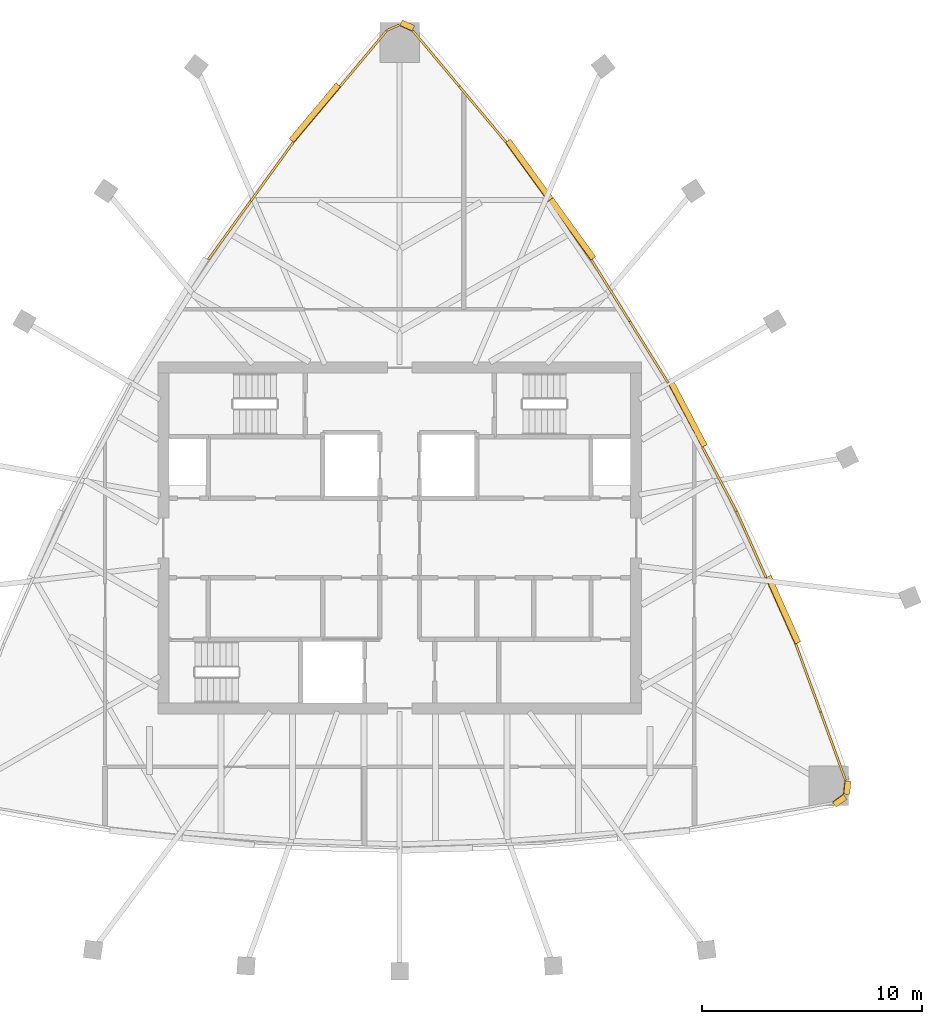
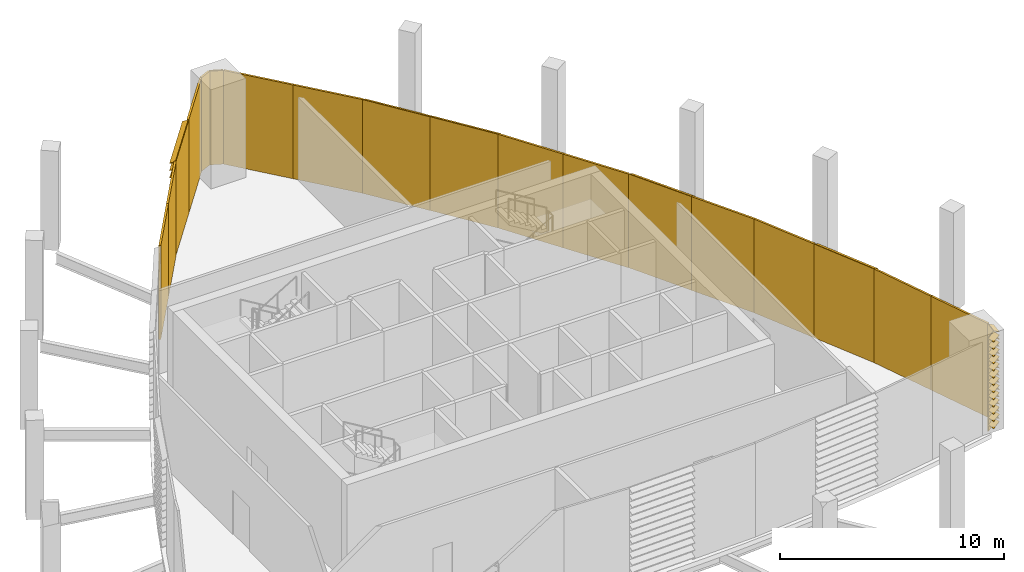
# One storey, part 8 of 8: 12 coverings, 8 shading devices.
"""IFC4 building model written with IfcOpenShell, lengths in metres."""

from ifc_helpers import new_model, si_unit, direction, frame, origin, place, context, subcontext, project, spatial, polyline, outline, extrude, material, layer, layer_set, type_object, element, save


model = new_model("IFC4")

# Units and contexts
model_context = context("Model", 3, precision=1e-05, world=origin(), true_north=direction((0.0, 1.0)))
body_context = subcontext(model_context, "Body", "Model", "MODEL_VIEW")
ifc_project = project(units=[si_unit("LENGTHUNIT", "METRE"), si_unit("AREAUNIT", "SQUARE_METRE"), si_unit("VOLUMEUNIT", "CUBIC_METRE"), si_unit("PLANEANGLEUNIT", "RADIAN"), si_unit("MASSUNIT", "GRAM", prefix="KILO")], contexts=[model_context])

# Site, building, storey
site_placement = place(None, origin())
site = spatial("IfcSite", under=ifc_project, at=site_placement, CompositionType="ELEMENT")
building_placement = place(site_placement, origin())
building = spatial("IfcBuilding", under=site, at=building_placement, Name="Sierra Prisma Convention Tower", CompositionType="ELEMENT")
storey_placement = place(building_placement, frame((0.0, 0.0, 350.199951171875)))
storey = spatial("IfcBuildingStorey", under=building, at=storey_placement, Name="L78", CompositionType="ELEMENT", Elevation=350.199951171875)

# Coverings
ifc_material_1 = material(Name="Aluminium composite bronze anodised", Category="aluminium")
ifc_layer = layer(ifc_material_1, 0.10009765625)
ifc_layer_set = layer_set([ifc_layer], Name="Bronze cladding panel")
covering_type = type_object("IfcCoveringType", Name="Bronze cladding panel", PredefinedType="CLADDING", material=ifc_layer_set)
covering_1_placement = place(storey_placement, origin())
element("IfcCovering", 1, at=covering_1_placement, inside=storey, type_object=covering_type, Name="Crown cladding L78.15", PredefinedType="CLADDING", context=body_context, shape_type="SweptSolid", body=[
    extrude(outline(polyline([(20.2265625, -11.033203125), (19.093017578125, -7.932861328125), (19.18701171875, -7.8984375), (20.320556640625, -10.9990234375), (20.2265625, -11.033203125)])), origin(), (0.0, 0.0, 1.0), 5.10009765625),
])
covering_2_placement = place(storey_placement, origin())
element("IfcCovering", 2, at=covering_2_placement, inside=storey, type_object=covering_type, Name="Crown cladding L78.16", PredefinedType="CLADDING", context=body_context, shape_type="SweptSolid", body=[
    extrude(outline(polyline([(19.093017578125, -7.932861328125), (17.95947265625, -4.83251953125), (18.053466796875, -4.798095703125), (19.18701171875, -7.8984375), (19.093017578125, -7.932861328125)])), origin(), (0.0, 0.0, 1.0), 5.10009765625),
])
covering_3_placement = place(storey_placement, origin())
element("IfcCovering", 3, at=covering_3_placement, inside=storey, type_object=covering_type, Name="Crown cladding L78.18", PredefinedType="CLADDING", context=body_context, shape_type="SweptSolid", body=[
    extrude(outline(polyline([(16.6142578125, -1.818115234375), (15.268798828125, 1.196533203125), (15.360107421875, 1.2373046875), (16.70556640625, -1.77734375), (16.6142578125, -1.818115234375)])), origin(), (0.0, 0.0, 1.0), 5.10009765625),
])
covering_4_placement = place(storey_placement, origin())
element("IfcCovering", 4, at=covering_4_placement, inside=storey, type_object=covering_type, Name="Crown cladding L78.19", PredefinedType="CLADDING", context=body_context, shape_type="SweptSolid", body=[
    extrude(outline(polyline([(15.268798828125, 1.196533203125), (13.71826171875, 4.11083984375), (13.806640625, 4.15771484375), (15.357177734375, 1.243408203125), (15.268798828125, 1.196533203125)])), origin(), (0.0, 0.0, 1.0), 5.10009765625),
])
covering_5_placement = place(storey_placement, origin())
element("IfcCovering", 5, at=covering_5_placement, inside=storey, type_object=covering_type, Name="Crown cladding L78.21", PredefinedType="CLADDING", context=body_context, shape_type="SweptSolid", body=[
    extrude(outline(polyline([(12.167724609375, 7.02490234375), (10.419189453125, 9.824951171875), (10.50390625, 9.8779296875), (12.25244140625, 7.077880859375), (12.167724609375, 7.02490234375)])), origin(), (0.0, 0.0, 1.0), 5.10009765625),
])
covering_6_placement = place(storey_placement, origin())
element("IfcCovering", 6, at=covering_6_placement, inside=storey, type_object=covering_type, Name="Crown cladding L78.22", PredefinedType="CLADDING", context=body_context, shape_type="SweptSolid", body=[
    extrude(outline(polyline([(10.419189453125, 9.824951171875), (8.670654296875, 12.625), (8.75537109375, 12.677978515625), (10.50390625, 9.8779296875), (10.419189453125, 9.824951171875)])), origin(), (0.0, 0.0, 1.0), 5.10009765625),
])
covering_7_placement = place(storey_placement, origin())
element("IfcCovering", 7, at=covering_7_placement, inside=storey, type_object=covering_type, Name="Crown cladding L78.25", PredefinedType="CLADDING", context=body_context, shape_type="SweptSolid", body=[
    extrude(outline(polyline([(4.794677734375, 17.9697265625), (2.676513671875, 20.50146484375), (2.753173828125, 20.565673828125), (4.871337890625, 18.033935546875), (4.794677734375, 17.9697265625)])), origin(), (0.0, 0.0, 1.0), 5.10009765625),
])
covering_8_placement = place(storey_placement, origin())
element("IfcCovering", 8, at=covering_8_placement, inside=storey, type_object=covering_type, Name="Crown cladding L78.26", PredefinedType="CLADDING", context=body_context, shape_type="SweptSolid", body=[
    extrude(outline(polyline([(2.676513671875, 20.50146484375), (0.558349609375, 23.033447265625), (0.635009765625, 23.09765625), (2.753173828125, 20.565673828125), (2.676513671875, 20.50146484375)])), origin(), (0.0, 0.0, 1.0), 5.10009765625),
])
covering_9_placement = place(storey_placement, origin())
element("IfcCovering", 9, at=covering_9_placement, inside=storey, type_object=covering_type, Name="Crown cladding L78.28", PredefinedType="CLADDING", context=body_context, shape_type="SweptSolid", body=[
    extrude(outline(polyline([(0.0, 23.282470703125), (-0.558349609375, 23.033447265625), (-0.598876953125, 23.124755859375), (-0.040771484375, 23.373779296875), (0.0, 23.282470703125)])), origin(), (0.0, 0.0, 1.0), 5.10009765625),
])
covering_10_placement = place(storey_placement, origin())
element("IfcCovering", 10, at=covering_10_placement, inside=storey, type_object=covering_type, Name="Crown cladding L78.29", PredefinedType="CLADDING", context=body_context, shape_type="SweptSolid", body=[
    extrude(outline(polyline([(-0.558349609375, 23.033447265625), (-2.676513671875, 20.50146484375), (-2.753173828125, 20.565673828125), (-0.635009765625, 23.09765625), (-0.558349609375, 23.033447265625)])), origin(), (0.0, 0.0, 1.0), 5.10009765625),
])
covering_11_placement = place(storey_placement, origin())
element("IfcCovering", 11, at=covering_11_placement, inside=storey, type_object=covering_type, Name="Crown cladding L78.31", PredefinedType="CLADDING", context=body_context, shape_type="SweptSolid", body=[
    extrude(outline(polyline([(-4.794677734375, 17.9697265625), (-6.732666015625, 15.29736328125), (-6.813720703125, 15.35595703125), (-4.875732421875, 18.0283203125), (-4.794677734375, 17.9697265625)])), origin(), (0.0, 0.0, 1.0), 5.10009765625),
])
covering_12_placement = place(storey_placement, origin())
element("IfcCovering", 12, at=covering_12_placement, inside=storey, type_object=covering_type, Name="Crown cladding L78.32", PredefinedType="CLADDING", context=body_context, shape_type="SweptSolid", body=[
    extrude(outline(polyline([(-6.732666015625, 15.29736328125), (-8.670654296875, 12.625), (-8.751708984375, 12.68359375), (-6.813720703125, 15.35595703125), (-6.732666015625, 15.29736328125)])), origin(), (0.0, 0.0, 1.0), 5.10009765625),
])

# Shading devices
ifc_material_2 = material(Name="Aluminium 6063-T6 bronze anodised", Category="aluminium")
shading_device_type = type_object("IfcShadingDeviceType", Name="Louvre bay bronze", PredefinedType="USERDEFINED", material=ifc_material_2)
shading_device_1_placement = place(storey_placement, frame((19.66845703125, -12.000244140625, 0.0), z_axis=(-0.809071505867, -0.587710216344, 0.0), x_axis=(0.0, 0.0, 1.0)))
element("IfcShadingDevice", 13, at=shading_device_1_placement, inside=storey, type_object=shading_device_type, Name="Crown louvre L78.13", ObjectType="LOUVRE", PredefinedType="USERDEFINED", context=body_context, shape_type="SweptSolid", body=[
    extrude(outline(polyline([(0.0, 0.0), (5.10009765625, 0.0), (5.10009765625, -0.029886038734750833), (5.080078125, -0.029886038734750833), (4.9599609375, -0.2997939801794932), (4.929931640625, -0.2997939801794932), (5.050048828125, -0.029886038734750833), (4.707763671875, -0.029886038734750833), (4.687744140625, -0.029886038734750833), (4.567626953125, -0.2997939801794932), (4.537841796875, -0.2997939801794932), (4.65771484375, -0.029886038734750833), (4.3154296875, -0.029886038734750833), (4.29541015625, -0.029886038734750833), (4.175537109375, -0.2997939801794932), (4.1455078125, -0.2997939801794932), (4.265380859375, -0.029886038734750833), (3.923095703125, -0.029886038734750833), (3.903076171875, -0.029886038734750833), (3.783203125, -0.2997939801794932), (3.753173828125, -0.2997939801794932), (3.873046875, -0.029886038734750833), (3.53076171875, -0.029886038734750833), (3.5107421875, -0.029886038734750833), (3.390869140625, -0.2997939801794932), (3.36083984375, -0.2997939801794932), (3.480712890625, -0.029886038734750833), (3.138427734375, -0.029886038734750833), (3.118408203125, -0.029886038734750833), (2.99853515625, -0.2997939801794932), (2.968505859375, -0.2997939801794932), (3.088623046875, -0.029886038734750833), (2.74609375, -0.029886038734750833), (2.726318359375, -0.029886038734750833), (2.606201171875, -0.2997939801794932), (2.576171875, -0.2997939801794932), (2.6962890625, -0.029886038734750833), (2.35400390625, -0.029886038734750833), (2.333984375, -0.029886038734750833), (2.2138671875, -0.2997939801794932), (2.183837890625, -0.2997939801794932), (2.303955078125, -0.029886038734750833), (1.961669921875, -0.029886038734750833), (1.941650390625, -0.029886038734750833), (1.821533203125, -0.2997939801794932), (1.79150390625, -0.2997939801794932), (1.91162109375, -0.029886038734750833), (1.5693359375, -0.029886038734750833), (1.54931640625, -0.029886038734750833), (1.42919921875, -0.2997939801794932), (1.399169921875, -0.2997939801794932), (1.519287109375, -0.029886038734750833), (1.177001953125, -0.029886038734750833), (1.156982421875, -0.029886038734750833), (1.036865234375, -0.2997939801794932), (1.007080078125, -0.2997939801794932), (1.126953125, -0.029886038734750833), (0.78466796875, -0.029886038734750833), (0.7646484375, -0.029886038734750833), (0.644775390625, -0.2997939801794932), (0.61474609375, -0.2997939801794932), (0.734619140625, -0.029886038734750833), (0.392333984375, -0.029886038734750833), (0.372314453125, -0.029886038734750833), (0.25244140625, -0.2997939801794932), (0.222412109375, -0.2997939801794932), (0.34228515625, -0.029886038734750833), (0.0, -0.029886038734750833), (0.0, 0.0)])), origin(), (0.0, 0.0, -1.0), 0.611328125),
])
shading_device_2_placement = place(storey_placement, frame((20.163330078125, -11.641357421875, 0.0), z_axis=(-0.100375227887, -0.994949653815, 0.0), x_axis=(0.0, 0.0, 1.0)))
element("IfcShadingDevice", 14, at=shading_device_2_placement, inside=storey, type_object=shading_device_type, Name="Crown louvre L78.14", ObjectType="LOUVRE", PredefinedType="USERDEFINED", context=body_context, shape_type="SweptSolid", body=[
    extrude(outline(polyline([(0.0, 0.0), (5.10009765625, 0.0), (5.10009765625, -0.029928798950214008), (5.080078125, -0.029928798950214008), (4.9599609375, -0.2999453444588887), (4.929931640625, -0.2999453444588887), (5.050048828125, -0.029928798950214008), (4.707763671875, -0.029928798950214008), (4.687744140625, -0.029928798950214008), (4.567626953125, -0.2999453444588887), (4.537841796875, -0.2999453444588887), (4.65771484375, -0.029928798950214008), (4.3154296875, -0.029928798950214008), (4.29541015625, -0.029928798950214008), (4.175537109375, -0.2999453444588887), (4.1455078125, -0.2999453444588887), (4.265380859375, -0.029928798950214008), (3.923095703125, -0.029928798950214008), (3.903076171875, -0.029928798950214008), (3.783203125, -0.2999453444588887), (3.753173828125, -0.2999453444588887), (3.873046875, -0.029928798950214008), (3.53076171875, -0.029928798950214008), (3.5107421875, -0.029928798950214008), (3.390869140625, -0.2999453444588887), (3.36083984375, -0.2999453444588887), (3.480712890625, -0.029928798950214008), (3.138427734375, -0.029928798950214008), (3.118408203125, -0.029928798950214008), (2.99853515625, -0.2999453444588887), (2.968505859375, -0.2999453444588887), (3.088623046875, -0.029928798950214008), (2.74609375, -0.029928798950214008), (2.726318359375, -0.029928798950214008), (2.606201171875, -0.2999453444588887), (2.576171875, -0.2999453444588887), (2.6962890625, -0.029928798950214008), (2.35400390625, -0.029928798950214008), (2.333984375, -0.029928798950214008), (2.2138671875, -0.2999453444588887), (2.183837890625, -0.2999453444588887), (2.303955078125, -0.029928798950214008), (1.961669921875, -0.029928798950214008), (1.941650390625, -0.029928798950214008), (1.821533203125, -0.2999453444588887), (1.79150390625, -0.2999453444588887), (1.91162109375, -0.029928798950214008), (1.5693359375, -0.029928798950214008), (1.54931640625, -0.029928798950214008), (1.42919921875, -0.2999453444588887), (1.399169921875, -0.2999453444588887), (1.519287109375, -0.029928798950214008), (1.177001953125, -0.029928798950214008), (1.156982421875, -0.029928798950214008), (1.036865234375, -0.2999453444588887), (1.007080078125, -0.2999453444588887), (1.126953125, -0.029928798950214008), (0.78466796875, -0.029928798950214008), (0.7646484375, -0.029928798950214008), (0.644775390625, -0.2999453444588887), (0.61474609375, -0.2999453444588887), (0.734619140625, -0.029928798950214008), (0.392333984375, -0.029928798950214008), (0.372314453125, -0.029928798950214008), (0.25244140625, -0.2999453444588887), (0.222412109375, -0.2999453444588887), (0.34228515625, -0.029928798950214008), (0.0, -0.029928798950214008), (0.0, 0.0)])), origin(), (0.0, 0.0, -1.0), 0.611328125),
])
shading_device_3_placement = place(storey_placement, frame((17.95947265625, -4.83251953125, 0.0), z_axis=(0.40768380581, -0.913123165011, 0.0), x_axis=(0.0, 0.0, 1.0)))
element("IfcShadingDevice", 15, at=shading_device_3_placement, inside=storey, type_object=shading_device_type, Name="Crown louvre L78.17", ObjectType="LOUVRE", PredefinedType="USERDEFINED", context=body_context, shape_type="SweptSolid", body=[
    extrude(outline(polyline([(0.0, 0.0), (5.10009765625, 0.0), (5.10009765625, -0.02994482050091964), (5.080078125, -0.02994482050091964), (4.9599609375, -0.2999935981087649), (4.929931640625, -0.2999935981087649), (5.050048828125, -0.02994482050091964), (4.707763671875, -0.02994482050091964), (4.687744140625, -0.02994482050091964), (4.567626953125, -0.2999935981087649), (4.537841796875, -0.2999935981087649), (4.65771484375, -0.02994482050091964), (4.3154296875, -0.02994482050091964), (4.29541015625, -0.02994482050091964), (4.175537109375, -0.2999935981087649), (4.1455078125, -0.2999935981087649), (4.265380859375, -0.02994482050091964), (3.923095703125, -0.02994482050091964), (3.903076171875, -0.02994482050091964), (3.783203125, -0.2999935981087649), (3.753173828125, -0.2999935981087649), (3.873046875, -0.02994482050091964), (3.53076171875, -0.02994482050091964), (3.5107421875, -0.02994482050091964), (3.390869140625, -0.2999935981087649), (3.36083984375, -0.2999935981087649), (3.480712890625, -0.02994482050091964), (3.138427734375, -0.02994482050091964), (3.118408203125, -0.02994482050091964), (2.99853515625, -0.2999935981087649), (2.968505859375, -0.2999935981087649), (3.088623046875, -0.02994482050091964), (2.74609375, -0.02994482050091964), (2.726318359375, -0.02994482050091964), (2.606201171875, -0.2999935981087649), (2.576171875, -0.2999935981087649), (2.6962890625, -0.02994482050091964), (2.35400390625, -0.02994482050091964), (2.333984375, -0.02994482050091964), (2.2138671875, -0.2999935981087649), (2.183837890625, -0.2999935981087649), (2.303955078125, -0.02994482050091964), (1.961669921875, -0.02994482050091964), (1.941650390625, -0.02994482050091964), (1.821533203125, -0.2999935981087649), (1.79150390625, -0.2999935981087649), (1.91162109375, -0.02994482050091964), (1.5693359375, -0.02994482050091964), (1.54931640625, -0.02994482050091964), (1.42919921875, -0.2999935981087649), (1.399169921875, -0.2999935981087649), (1.519287109375, -0.02994482050091964), (1.177001953125, -0.02994482050091964), (1.156982421875, -0.02994482050091964), (1.036865234375, -0.2999935981087649), (1.007080078125, -0.2999935981087649), (1.126953125, -0.02994482050091964), (0.78466796875, -0.02994482050091964), (0.7646484375, -0.02994482050091964), (0.644775390625, -0.2999935981087649), (0.61474609375, -0.2999935981087649), (0.734619140625, -0.02994482050091964), (0.392333984375, -0.02994482050091964), (0.372314453125, -0.02994482050091964), (0.25244140625, -0.2999935981087649), (0.222412109375, -0.2999935981087649), (0.34228515625, -0.02994482050091964), (0.0, -0.02994482050091964), (0.0, 0.0)])), origin(), (0.0, 0.0, -1.0), 3.301025390625),
])
shading_device_4_placement = place(storey_placement, frame((13.71826171875, 4.11083984375, 0.0), z_axis=(0.466178563812, -0.884690650251, 0.0), x_axis=(0.0, 0.0, 1.0)))
element("IfcShadingDevice", 16, at=shading_device_4_placement, inside=storey, type_object=shading_device_type, Name="Crown louvre L78.20", ObjectType="LOUVRE", PredefinedType="USERDEFINED", context=body_context, shape_type="SweptSolid", body=[
    extrude(outline(polyline([(0.0, 0.0), (5.10009765625, 0.0), (5.10009765625, -0.030030141361006533), (5.080078125, -0.030030141361006533), (4.9599609375, -0.30001816085015937), (4.929931640625, -0.30001816085015937), (5.050048828125, -0.030030141361006533), (4.707763671875, -0.030030141361006533), (4.687744140625, -0.030030141361006533), (4.567626953125, -0.30001816085015937), (4.537841796875, -0.30001816085015937), (4.65771484375, -0.030030141361006533), (4.3154296875, -0.030030141361006533), (4.29541015625, -0.030030141361006533), (4.175537109375, -0.30001816085015937), (4.1455078125, -0.30001816085015937), (4.265380859375, -0.030030141361006533), (3.923095703125, -0.030030141361006533), (3.903076171875, -0.030030141361006533), (3.783203125, -0.30001816085015937), (3.753173828125, -0.30001816085015937), (3.873046875, -0.030030141361006533), (3.53076171875, -0.030030141361006533), (3.5107421875, -0.030030141361006533), (3.390869140625, -0.30001816085015937), (3.36083984375, -0.30001816085015937), (3.480712890625, -0.030030141361006533), (3.138427734375, -0.030030141361006533), (3.118408203125, -0.030030141361006533), (2.99853515625, -0.30001816085015937), (2.968505859375, -0.30001816085015937), (3.088623046875, -0.030030141361006533), (2.74609375, -0.030030141361006533), (2.726318359375, -0.030030141361006533), (2.606201171875, -0.30001816085015937), (2.576171875, -0.30001816085015937), (2.6962890625, -0.030030141361006533), (2.35400390625, -0.030030141361006533), (2.333984375, -0.030030141361006533), (2.2138671875, -0.30001816085015937), (2.183837890625, -0.30001816085015937), (2.303955078125, -0.030030141361006533), (1.961669921875, -0.030030141361006533), (1.941650390625, -0.030030141361006533), (1.821533203125, -0.30001816085015937), (1.79150390625, -0.30001816085015937), (1.91162109375, -0.030030141361006533), (1.5693359375, -0.030030141361006533), (1.54931640625, -0.030030141361006533), (1.42919921875, -0.30001816085015937), (1.399169921875, -0.30001816085015937), (1.519287109375, -0.030030141361006533), (1.177001953125, -0.030030141361006533), (1.156982421875, -0.030030141361006533), (1.036865234375, -0.30001816085015937), (1.007080078125, -0.30001816085015937), (1.126953125, -0.030030141361006533), (0.78466796875, -0.030030141361006533), (0.7646484375, -0.030030141361006533), (0.644775390625, -0.30001816085015937), (0.61474609375, -0.30001816085015937), (0.734619140625, -0.030030141361006533), (0.392333984375, -0.030030141361006533), (0.372314453125, -0.030030141361006533), (0.25244140625, -0.30001816085015937), (0.222412109375, -0.30001816085015937), (0.34228515625, -0.030030141361006533), (0.0, -0.030030141361006533), (0.0, 0.0)])), origin(), (0.0, 0.0, -1.0), 3.301025390625),
])
shading_device_5_placement = place(storey_placement, frame((8.670654296875, 12.625, 0.0), z_axis=(0.585419236714, -0.810730730443, 0.0), x_axis=(0.0, 0.0, 1.0)))
element("IfcShadingDevice", 17, at=shading_device_5_placement, inside=storey, type_object=shading_device_type, Name="Crown louvre L78.23", ObjectType="LOUVRE", PredefinedType="USERDEFINED", context=body_context, shape_type="SweptSolid", body=[
    extrude(outline(polyline([(0.0, 0.0), (5.10009765625, 0.0), (5.10009765625, -0.03008380324407773), (5.080078125, -0.03008380324407773), (4.9599609375, -0.29999129552292986), (4.929931640625, -0.29999129552292986), (5.050048828125, -0.03008380324407773), (4.707763671875, -0.03008380324407773), (4.687744140625, -0.03008380324407773), (4.567626953125, -0.29999129552292986), (4.537841796875, -0.29999129552292986), (4.65771484375, -0.03008380324407773), (4.3154296875, -0.03008380324407773), (4.29541015625, -0.03008380324407773), (4.175537109375, -0.29999129552292986), (4.1455078125, -0.29999129552292986), (4.265380859375, -0.03008380324407773), (3.923095703125, -0.03008380324407773), (3.903076171875, -0.03008380324407773), (3.783203125, -0.29999129552292986), (3.753173828125, -0.29999129552292986), (3.873046875, -0.03008380324407773), (3.53076171875, -0.03008380324407773), (3.5107421875, -0.03008380324407773), (3.390869140625, -0.29999129552292986), (3.36083984375, -0.29999129552292986), (3.480712890625, -0.03008380324407773), (3.138427734375, -0.03008380324407773), (3.118408203125, -0.03008380324407773), (2.99853515625, -0.29999129552292986), (2.968505859375, -0.29999129552292986), (3.088623046875, -0.03008380324407773), (2.74609375, -0.03008380324407773), (2.726318359375, -0.03008380324407773), (2.606201171875, -0.29999129552292986), (2.576171875, -0.29999129552292986), (2.6962890625, -0.03008380324407773), (2.35400390625, -0.03008380324407773), (2.333984375, -0.03008380324407773), (2.2138671875, -0.29999129552292986), (2.183837890625, -0.29999129552292986), (2.303955078125, -0.03008380324407773), (1.961669921875, -0.03008380324407773), (1.941650390625, -0.03008380324407773), (1.821533203125, -0.29999129552292986), (1.79150390625, -0.29999129552292986), (1.91162109375, -0.03008380324407773), (1.5693359375, -0.03008380324407773), (1.54931640625, -0.03008380324407773), (1.42919921875, -0.29999129552292986), (1.399169921875, -0.29999129552292986), (1.519287109375, -0.03008380324407773), (1.177001953125, -0.03008380324407773), (1.156982421875, -0.03008380324407773), (1.036865234375, -0.29999129552292986), (1.007080078125, -0.29999129552292986), (1.126953125, -0.03008380324407773), (0.78466796875, -0.03008380324407773), (0.7646484375, -0.03008380324407773), (0.644775390625, -0.29999129552292986), (0.61474609375, -0.29999129552292986), (0.734619140625, -0.03008380324407773), (0.392333984375, -0.03008380324407773), (0.372314453125, -0.03008380324407773), (0.25244140625, -0.29999129552292986), (0.222412109375, -0.29999129552292986), (0.34228515625, -0.03008380324407773), (0.0, -0.03008380324407773), (0.0, 0.0)])), origin(), (0.0, 0.0, -1.0), 3.301025390625),
])
shading_device_6_placement = place(storey_placement, frame((6.732666015625, 15.29736328125, 0.0), z_axis=(0.587534554126, -0.809199077921, 0.0), x_axis=(0.0, 0.0, 1.0)))
element("IfcShadingDevice", 18, at=shading_device_6_placement, inside=storey, type_object=shading_device_type, Name="Crown louvre L78.24", ObjectType="LOUVRE", PredefinedType="USERDEFINED", context=body_context, shape_type="SweptSolid", body=[
    extrude(outline(polyline([(0.0, 0.0), (5.10009765625, 0.0), (5.10009765625, -0.029886034328915206), (5.080078125, -0.029886034328915206), (4.9599609375, -0.2999915761855705), (4.929931640625, -0.2999915761855705), (5.050048828125, -0.029886034328915206), (4.707763671875, -0.029886034328915206), (4.687744140625, -0.029886034328915206), (4.567626953125, -0.2999915761855705), (4.537841796875, -0.2999915761855705), (4.65771484375, -0.029886034328915206), (4.3154296875, -0.029886034328915206), (4.29541015625, -0.029886034328915206), (4.175537109375, -0.2999915761855705), (4.1455078125, -0.2999915761855705), (4.265380859375, -0.029886034328915206), (3.923095703125, -0.029886034328915206), (3.903076171875, -0.029886034328915206), (3.783203125, -0.2999915761855705), (3.753173828125, -0.2999915761855705), (3.873046875, -0.029886034328915206), (3.53076171875, -0.029886034328915206), (3.5107421875, -0.029886034328915206), (3.390869140625, -0.2999915761855705), (3.36083984375, -0.2999915761855705), (3.480712890625, -0.029886034328915206), (3.138427734375, -0.029886034328915206), (3.118408203125, -0.029886034328915206), (2.99853515625, -0.2999915761855705), (2.968505859375, -0.2999915761855705), (3.088623046875, -0.029886034328915206), (2.74609375, -0.029886034328915206), (2.726318359375, -0.029886034328915206), (2.606201171875, -0.2999915761855705), (2.576171875, -0.2999915761855705), (2.6962890625, -0.029886034328915206), (2.35400390625, -0.029886034328915206), (2.333984375, -0.029886034328915206), (2.2138671875, -0.2999915761855705), (2.183837890625, -0.2999915761855705), (2.303955078125, -0.029886034328915206), (1.961669921875, -0.029886034328915206), (1.941650390625, -0.029886034328915206), (1.821533203125, -0.2999915761855705), (1.79150390625, -0.2999915761855705), (1.91162109375, -0.029886034328915206), (1.5693359375, -0.029886034328915206), (1.54931640625, -0.029886034328915206), (1.42919921875, -0.2999915761855705), (1.399169921875, -0.2999915761855705), (1.519287109375, -0.029886034328915206), (1.177001953125, -0.029886034328915206), (1.156982421875, -0.029886034328915206), (1.036865234375, -0.2999915761855705), (1.007080078125, -0.2999915761855705), (1.126953125, -0.029886034328915206), (0.78466796875, -0.029886034328915206), (0.7646484375, -0.029886034328915206), (0.644775390625, -0.2999915761855705), (0.61474609375, -0.2999915761855705), (0.734619140625, -0.029886034328915206), (0.392333984375, -0.029886034328915206), (0.372314453125, -0.029886034328915206), (0.25244140625, -0.2999915761855705), (0.222412109375, -0.2999915761855705), (0.34228515625, -0.029886034328915206), (0.0, -0.029886034328915206), (0.0, 0.0)])), origin(), (0.0, 0.0, -1.0), 3.301025390625),
])
shading_device_7_placement = place(storey_placement, frame((0.558349609375, 23.033447265625, 0.0), z_axis=(0.913260499807, -0.40737606642, 0.0), x_axis=(0.0, 0.0, 1.0)))
element("IfcShadingDevice", 19, at=shading_device_7_placement, inside=storey, type_object=shading_device_type, Name="Crown louvre L78.27", ObjectType="LOUVRE", PredefinedType="USERDEFINED", context=body_context, shape_type="SweptSolid", body=[
    extrude(outline(polyline([(0.0, 0.0), (5.10009765625, 0.0), (5.10009765625, -0.0299448191648952), (5.080078125, -0.0299448191648952), (4.9599609375, -0.29989411962737356), (4.929931640625, -0.29989411962737356), (5.050048828125, -0.0299448191648952), (4.707763671875, -0.0299448191648952), (4.687744140625, -0.0299448191648952), (4.567626953125, -0.29989411962737356), (4.537841796875, -0.29989411962737356), (4.65771484375, -0.0299448191648952), (4.3154296875, -0.0299448191648952), (4.29541015625, -0.0299448191648952), (4.175537109375, -0.29989411962737356), (4.1455078125, -0.29989411962737356), (4.265380859375, -0.0299448191648952), (3.923095703125, -0.0299448191648952), (3.903076171875, -0.0299448191648952), (3.783203125, -0.29989411962737356), (3.753173828125, -0.29989411962737356), (3.873046875, -0.0299448191648952), (3.53076171875, -0.0299448191648952), (3.5107421875, -0.0299448191648952), (3.390869140625, -0.29989411962737356), (3.36083984375, -0.29989411962737356), (3.480712890625, -0.0299448191648952), (3.138427734375, -0.0299448191648952), (3.118408203125, -0.0299448191648952), (2.99853515625, -0.29989411962737356), (2.968505859375, -0.29989411962737356), (3.088623046875, -0.0299448191648952), (2.74609375, -0.0299448191648952), (2.726318359375, -0.0299448191648952), (2.606201171875, -0.29989411962737356), (2.576171875, -0.29989411962737356), (2.6962890625, -0.0299448191648952), (2.35400390625, -0.0299448191648952), (2.333984375, -0.0299448191648952), (2.2138671875, -0.29989411962737356), (2.183837890625, -0.29989411962737356), (2.303955078125, -0.0299448191648952), (1.961669921875, -0.0299448191648952), (1.941650390625, -0.0299448191648952), (1.821533203125, -0.29989411962737356), (1.79150390625, -0.29989411962737356), (1.91162109375, -0.0299448191648952), (1.5693359375, -0.0299448191648952), (1.54931640625, -0.0299448191648952), (1.42919921875, -0.29989411962737356), (1.399169921875, -0.29989411962737356), (1.519287109375, -0.0299448191648952), (1.177001953125, -0.0299448191648952), (1.156982421875, -0.0299448191648952), (1.036865234375, -0.29989411962737356), (1.007080078125, -0.29989411962737356), (1.126953125, -0.0299448191648952), (0.78466796875, -0.0299448191648952), (0.7646484375, -0.0299448191648952), (0.644775390625, -0.29989411962737356), (0.61474609375, -0.29989411962737356), (0.734619140625, -0.0299448191648952), (0.392333984375, -0.0299448191648952), (0.372314453125, -0.0299448191648952), (0.25244140625, -0.29989411962737356), (0.222412109375, -0.29989411962737356), (0.34228515625, -0.0299448191648952), (0.0, -0.0299448191648952), (0.0, 0.0)])), origin(), (0.0, 0.0, -1.0), 0.611328125),
])
shading_device_8_placement = place(storey_placement, frame((-2.676513671875, 20.50146484375, 0.0), z_axis=(0.64280347678, 0.766031128766, 0.0), x_axis=(0.0, 0.0, 1.0)))
element("IfcShadingDevice", 20, at=shading_device_8_placement, inside=storey, type_object=shading_device_type, Name="Crown louvre L78.30", ObjectType="LOUVRE", PredefinedType="USERDEFINED", context=body_context, shape_type="SweptSolid", body=[
    extrude(outline(polyline([(0.0, 0.0), (5.10009765625, 0.0), (5.10009765625, -0.02997763690666195), (5.080078125, -0.02997763690666195), (4.9599609375, -0.2999934732611391), (4.929931640625, -0.2999934732611391), (5.050048828125, -0.02997763690666195), (4.707763671875, -0.02997763690666195), (4.687744140625, -0.02997763690666195), (4.567626953125, -0.2999934732611391), (4.537841796875, -0.2999934732611391), (4.65771484375, -0.02997763690666195), (4.3154296875, -0.02997763690666195), (4.29541015625, -0.02997763690666195), (4.175537109375, -0.2999934732611391), (4.1455078125, -0.2999934732611391), (4.265380859375, -0.02997763690666195), (3.923095703125, -0.02997763690666195), (3.903076171875, -0.02997763690666195), (3.783203125, -0.2999934732611391), (3.753173828125, -0.2999934732611391), (3.873046875, -0.02997763690666195), (3.53076171875, -0.02997763690666195), (3.5107421875, -0.02997763690666195), (3.390869140625, -0.2999934732611391), (3.36083984375, -0.2999934732611391), (3.480712890625, -0.02997763690666195), (3.138427734375, -0.02997763690666195), (3.118408203125, -0.02997763690666195), (2.99853515625, -0.2999934732611391), (2.968505859375, -0.2999934732611391), (3.088623046875, -0.02997763690666195), (2.74609375, -0.02997763690666195), (2.726318359375, -0.02997763690666195), (2.606201171875, -0.2999934732611391), (2.576171875, -0.2999934732611391), (2.6962890625, -0.02997763690666195), (2.35400390625, -0.02997763690666195), (2.333984375, -0.02997763690666195), (2.2138671875, -0.2999934732611391), (2.183837890625, -0.2999934732611391), (2.303955078125, -0.02997763690666195), (1.961669921875, -0.02997763690666195), (1.941650390625, -0.02997763690666195), (1.821533203125, -0.2999934732611391), (1.79150390625, -0.2999934732611391), (1.91162109375, -0.02997763690666195), (1.5693359375, -0.02997763690666195), (1.54931640625, -0.02997763690666195), (1.42919921875, -0.2999934732611391), (1.399169921875, -0.2999934732611391), (1.519287109375, -0.02997763690666195), (1.177001953125, -0.02997763690666195), (1.156982421875, -0.02997763690666195), (1.036865234375, -0.2999934732611391), (1.007080078125, -0.2999934732611391), (1.126953125, -0.02997763690666195), (0.78466796875, -0.02997763690666195), (0.7646484375, -0.02997763690666195), (0.644775390625, -0.2999934732611391), (0.61474609375, -0.2999934732611391), (0.734619140625, -0.02997763690666195), (0.392333984375, -0.02997763690666195), (0.372314453125, -0.02997763690666195), (0.25244140625, -0.2999934732611391), (0.222412109375, -0.2999934732611391), (0.34228515625, -0.02997763690666195), (0.0, -0.02997763690666195), (0.0, 0.0)])), origin(), (0.0, 0.0, -1.0), 3.301025390625),
])

save(model, "model.ifc")
